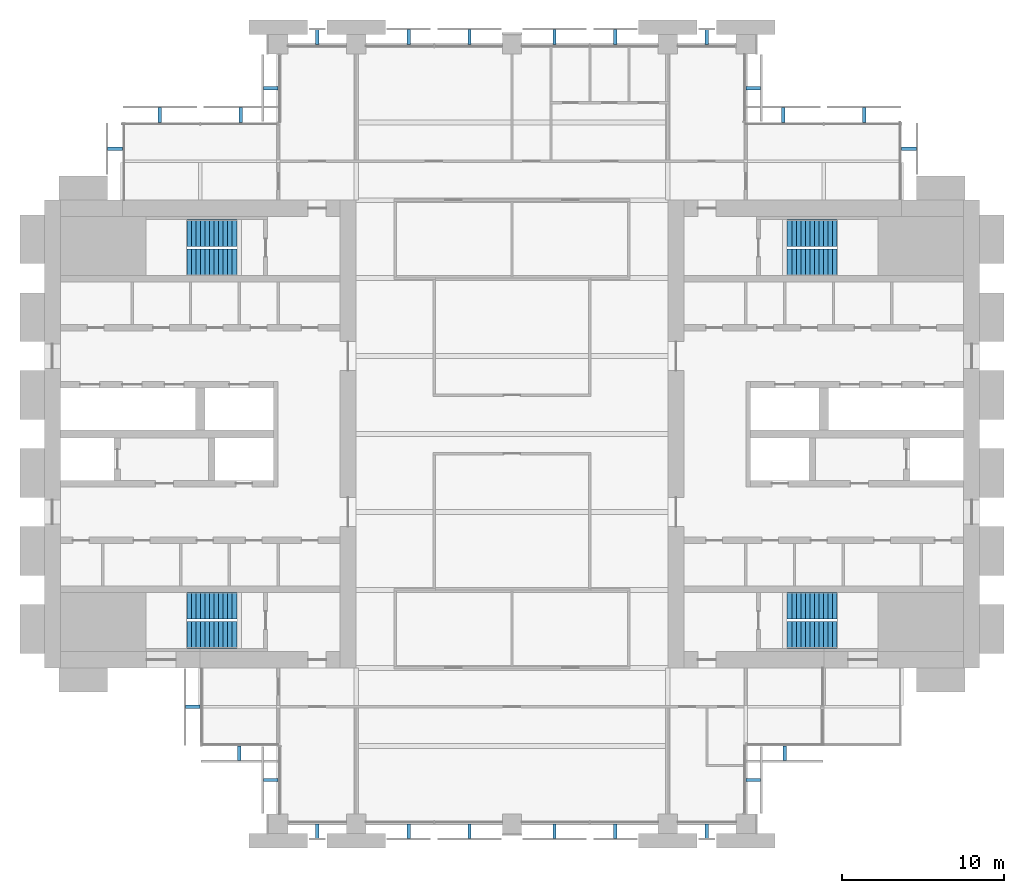
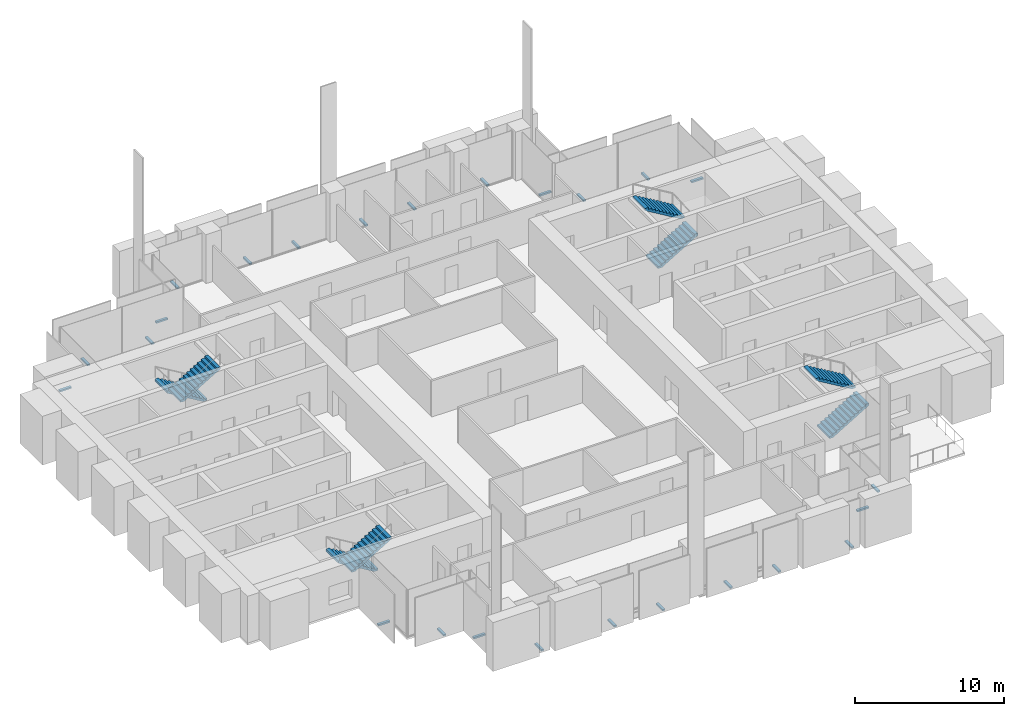
# One storey, part 13 of 14: 25 discrete accessories, 8 stair flights, 4 elements without a shape of their own.
"""IFC4 building model written with IfcOpenShell, lengths in metres."""

from ifc_helpers import new_model, si_unit, direction, frame, origin, origin_2d, place, context, subcontext, project, spatial, polyline, rectangle, outline, extrude, material, type_object, element, aggregate, save


model = new_model("IFC4")

# Units and contexts
model_context = context("Model", 3, precision=1e-05, world=origin(), true_north=direction((0.0, 1.0)))
body_context = subcontext(model_context, "Body", "Model", "MODEL_VIEW")
ifc_project = project(units=[si_unit("LENGTHUNIT", "METRE"), si_unit("AREAUNIT", "SQUARE_METRE"), si_unit("VOLUMEUNIT", "CUBIC_METRE"), si_unit("PLANEANGLEUNIT", "RADIAN"), si_unit("MASSUNIT", "GRAM", prefix="KILO")], contexts=[model_context])

# Site, building, storey
site_placement = place(None, origin())
site = spatial("IfcSite", under=ifc_project, at=site_placement, CompositionType="ELEMENT")
building_placement = place(site_placement, origin())
building = spatial("IfcBuilding", under=site, at=building_placement, Name="Baori Bourse Tower", CompositionType="ELEMENT")
storey_placement = place(building_placement, frame((0.0, 0.0, 120.10009765625)))
storey = spatial("IfcBuildingStorey", under=building, at=storey_placement, Name="L25", CompositionType="ELEMENT", Elevation=120.10009765625)

# Stair, stair flights
ifc_material_1 = material(Name="Concrete f'c 50 MPa", Category="concrete")
stair_type = type_object("IfcStairType", Name="Core stair", PredefinedType="HALF_TURN_STAIR", material=ifc_material_1)
stair_1_placement = place(storey_placement, origin())
stair_1 = element("IfcStair", 1, at=stair_1_placement, inside=storey, type_object=stair_type, Name="L25 Stair WA", PredefinedType="HALF_TURN_STAIR")
ifc_material_2 = material(Name="Concrete f'c 50 MPa", Category="concrete")
stair_flight_type = type_object("IfcStairFlightType", Name="Core stair flight", PredefinedType="STRAIGHT", material=ifc_material_2)
stair_flight_1_placement = place(storey_placement, frame((11.85009765625, 13.425048828125, 0.0), z_axis=(0.0, 0.0, 1.0), x_axis=(-1.0, 0.0, 0.0)))
stair_flight_1 = element("IfcStairFlight", 2, at=stair_flight_1_placement, type_object=stair_flight_type, Name="ST1 flight 1", NumberOfRisers=12, NumberOfTreads=11, PredefinedType="STRAIGHT", RiserHeight=0.166666667, TreadLength=0.28, context=body_context, shape_type="SweptSolid", body=[
    extrude(outline(polyline([(0.0, 0.0), (0.0, 0.166748046875), (0.280029296875, 0.166748046875), (0.280029296875, 0.333251953125), (0.56005859375, 0.333251953125), (0.56005859375, 0.5), (0.840087890625, 0.5), (0.840087890625, 0.666748046875), (1.1201171875, 0.666748046875), (1.1201171875, 0.833251953125), (1.39990234375, 0.833251953125), (1.39990234375, 1.0), (1.679931640625, 1.0), (1.679931640625, 1.166748046875), (1.9599609375, 1.166748046875), (1.9599609375, 1.333251953125), (2.239990234375, 1.333251953125), (2.239990234375, 1.5), (2.52001953125, 1.5), (2.52001953125, 1.666748046875), (2.800048828125, 1.666748046875), (2.800048828125, 1.833251953125), (3.080078125, 1.833251953125), (3.080078125, 2.0), (3.080078125, 1.658935546875), (0.29296875, 0.0), (0.0, 0.0)])), frame((0.0, 0.824951171875, 0.0), z_axis=(0.0, -1.0, 0.0), x_axis=(1.0, 0.0, 0.0)), (0.0, 0.0, 1.0), 1.64990234375),
])
stair_flight_2_placement = place(storey_placement, frame((8.77001953125, 11.625, 2.0), z_axis=(0.0, 0.0, 1.0), x_axis=(1.0, 0.0, 0.0)))
stair_flight_2 = element("IfcStairFlight", 3, at=stair_flight_2_placement, type_object=stair_flight_type, Name="ST1 flight 2", NumberOfRisers=12, NumberOfTreads=11, PredefinedType="STRAIGHT", RiserHeight=0.166666667, TreadLength=0.28, context=body_context, shape_type="SweptSolid", body=[
    extrude(outline(polyline([(0.0, 0.0), (0.0, 0.166748046875), (0.280029296875, 0.166748046875), (0.280029296875, 0.333251953125), (0.56005859375, 0.333251953125), (0.56005859375, 0.5), (0.840087890625, 0.5), (0.840087890625, 0.666748046875), (1.1201171875, 0.666748046875), (1.1201171875, 0.833251953125), (1.39990234375, 0.833251953125), (1.39990234375, 1.0), (1.679931640625, 1.0), (1.679931640625, 1.166748046875), (1.9599609375, 1.166748046875), (1.9599609375, 1.333251953125), (2.239990234375, 1.333251953125), (2.239990234375, 1.5), (2.52001953125, 1.5), (2.52001953125, 1.666748046875), (2.800048828125, 1.666748046875), (2.800048828125, 1.833251953125), (3.080078125, 1.833251953125), (3.080078125, 2.0), (3.080078125, 1.658935546875), (0.29296875, 0.0), (0.0, 0.0)])), frame((0.0, 0.824951171875, 0.0), z_axis=(0.0, -1.0, 0.0), x_axis=(1.0, 0.0, 0.0)), (0.0, 0.0, 1.0), 1.64990234375),
])
aggregate(stair_1, [stair_flight_1, stair_flight_2])

stair_2_placement = place(storey_placement, origin())
stair_2 = element("IfcStair", 4, at=stair_2_placement, inside=storey, type_object=stair_type, Name="L25 Stair WB", PredefinedType="HALF_TURN_STAIR")
stair_flight_3_placement = place(storey_placement, frame((11.85009765625, 36.375, 0.0), z_axis=(0.0, 0.0, 1.0), x_axis=(-1.0, 0.0, 0.0)))
stair_flight_3 = element("IfcStairFlight", 5, at=stair_flight_3_placement, type_object=stair_flight_type, Name="ST2 flight 1", NumberOfRisers=12, NumberOfTreads=11, PredefinedType="STRAIGHT", RiserHeight=0.166666667, TreadLength=0.28, context=body_context, shape_type="SweptSolid", body=[
    extrude(outline(polyline([(0.0, 0.0), (0.0, 0.166748046875), (0.280029296875, 0.166748046875), (0.280029296875, 0.333251953125), (0.56005859375, 0.333251953125), (0.56005859375, 0.5), (0.840087890625, 0.5), (0.840087890625, 0.666748046875), (1.1201171875, 0.666748046875), (1.1201171875, 0.833251953125), (1.39990234375, 0.833251953125), (1.39990234375, 1.0), (1.679931640625, 1.0), (1.679931640625, 1.166748046875), (1.9599609375, 1.166748046875), (1.9599609375, 1.333251953125), (2.239990234375, 1.333251953125), (2.239990234375, 1.5), (2.52001953125, 1.5), (2.52001953125, 1.666748046875), (2.800048828125, 1.666748046875), (2.800048828125, 1.833251953125), (3.080078125, 1.833251953125), (3.080078125, 2.0), (3.080078125, 1.658935546875), (0.29296875, 0.0), (0.0, 0.0)])), frame((0.0, 0.824951171875, 0.0), z_axis=(0.0, -1.0, 0.0), x_axis=(1.0, 0.0, 0.0)), (0.0, 0.0, 1.0), 1.64990234375),
])
stair_flight_4_placement = place(storey_placement, frame((8.77001953125, 34.574951171875, 2.0), z_axis=(0.0, 0.0, 1.0), x_axis=(1.0, 0.0, 0.0)))
stair_flight_4 = element("IfcStairFlight", 6, at=stair_flight_4_placement, type_object=stair_flight_type, Name="ST2 flight 2", NumberOfRisers=12, NumberOfTreads=11, PredefinedType="STRAIGHT", RiserHeight=0.166666667, TreadLength=0.28, context=body_context, shape_type="SweptSolid", body=[
    extrude(outline(polyline([(0.0, 0.0), (0.0, 0.166748046875), (0.280029296875, 0.166748046875), (0.280029296875, 0.333251953125), (0.56005859375, 0.333251953125), (0.56005859375, 0.5), (0.840087890625, 0.5), (0.840087890625, 0.666748046875), (1.1201171875, 0.666748046875), (1.1201171875, 0.833251953125), (1.39990234375, 0.833251953125), (1.39990234375, 1.0), (1.679931640625, 1.0), (1.679931640625, 1.166748046875), (1.9599609375, 1.166748046875), (1.9599609375, 1.333251953125), (2.239990234375, 1.333251953125), (2.239990234375, 1.5), (2.52001953125, 1.5), (2.52001953125, 1.666748046875), (2.800048828125, 1.666748046875), (2.800048828125, 1.833251953125), (3.080078125, 1.833251953125), (3.080078125, 2.0), (3.080078125, 1.658935546875), (0.29296875, 0.0), (0.0, 0.0)])), frame((0.0, 0.824951171875, 0.0), z_axis=(0.0, -1.0, 0.0), x_axis=(1.0, 0.0, 0.0)), (0.0, 0.0, 1.0), 1.64990234375),
])
aggregate(stair_2, [stair_flight_3, stair_flight_4])

stair_3_placement = place(storey_placement, origin())
stair_3 = element("IfcStair", 7, at=stair_3_placement, inside=storey, type_object=stair_type, Name="L25 Stair EA", PredefinedType="HALF_TURN_STAIR")
stair_flight_5_placement = place(storey_placement, frame((45.75, 11.625, 0.0), z_axis=(0.0, 0.0, 1.0), x_axis=(1.0, 0.0, 0.0)))
stair_flight_5 = element("IfcStairFlight", 8, at=stair_flight_5_placement, type_object=stair_flight_type, Name="ST3 flight 1", NumberOfRisers=12, NumberOfTreads=11, PredefinedType="STRAIGHT", RiserHeight=0.166666667, TreadLength=0.28, context=body_context, shape_type="SweptSolid", body=[
    extrude(outline(polyline([(0.0, 0.0), (0.0, 0.166748046875), (0.280029296875, 0.166748046875), (0.280029296875, 0.333251953125), (0.56005859375, 0.333251953125), (0.56005859375, 0.5), (0.840087890625, 0.5), (0.840087890625, 0.666748046875), (1.1201171875, 0.666748046875), (1.1201171875, 0.833251953125), (1.39990234375, 0.833251953125), (1.39990234375, 1.0), (1.679931640625, 1.0), (1.679931640625, 1.166748046875), (1.9599609375, 1.166748046875), (1.9599609375, 1.333251953125), (2.239990234375, 1.333251953125), (2.239990234375, 1.5), (2.52001953125, 1.5), (2.52001953125, 1.666748046875), (2.800048828125, 1.666748046875), (2.800048828125, 1.833251953125), (3.080078125, 1.833251953125), (3.080078125, 2.0), (3.080078125, 1.658935546875), (0.29296875, 0.0), (0.0, 0.0)])), frame((0.0, 0.824951171875, 0.0), z_axis=(0.0, -1.0, 0.0), x_axis=(1.0, 0.0, 0.0)), (0.0, 0.0, 1.0), 1.64990234375),
])
stair_flight_6_placement = place(storey_placement, frame((48.830078125, 13.425048828125, 2.0), z_axis=(0.0, 0.0, 1.0), x_axis=(-1.0, 0.0, 0.0)))
stair_flight_6 = element("IfcStairFlight", 9, at=stair_flight_6_placement, type_object=stair_flight_type, Name="ST3 flight 2", NumberOfRisers=12, NumberOfTreads=11, PredefinedType="STRAIGHT", RiserHeight=0.166666667, TreadLength=0.28, context=body_context, shape_type="SweptSolid", body=[
    extrude(outline(polyline([(0.0, 0.0), (0.0, 0.166748046875), (0.280029296875, 0.166748046875), (0.280029296875, 0.333251953125), (0.56005859375, 0.333251953125), (0.56005859375, 0.5), (0.840087890625, 0.5), (0.840087890625, 0.666748046875), (1.1201171875, 0.666748046875), (1.1201171875, 0.833251953125), (1.39990234375, 0.833251953125), (1.39990234375, 1.0), (1.679931640625, 1.0), (1.679931640625, 1.166748046875), (1.9599609375, 1.166748046875), (1.9599609375, 1.333251953125), (2.239990234375, 1.333251953125), (2.239990234375, 1.5), (2.52001953125, 1.5), (2.52001953125, 1.666748046875), (2.800048828125, 1.666748046875), (2.800048828125, 1.833251953125), (3.080078125, 1.833251953125), (3.080078125, 2.0), (3.080078125, 1.658935546875), (0.29296875, 0.0), (0.0, 0.0)])), frame((0.0, 0.824951171875, 0.0), z_axis=(0.0, -1.0, 0.0), x_axis=(1.0, 0.0, 0.0)), (0.0, 0.0, 1.0), 1.64990234375),
])
aggregate(stair_3, [stair_flight_5, stair_flight_6])

stair_4_placement = place(storey_placement, origin())
stair_4 = element("IfcStair", 10, at=stair_4_placement, inside=storey, type_object=stair_type, Name="L25 Stair EB", PredefinedType="HALF_TURN_STAIR")
stair_flight_7_placement = place(storey_placement, frame((45.75, 34.574951171875, 0.0), z_axis=(0.0, 0.0, 1.0), x_axis=(1.0, 0.0, 0.0)))
stair_flight_7 = element("IfcStairFlight", 11, at=stair_flight_7_placement, type_object=stair_flight_type, Name="ST4 flight 1", NumberOfRisers=12, NumberOfTreads=11, PredefinedType="STRAIGHT", RiserHeight=0.166666667, TreadLength=0.28, context=body_context, shape_type="SweptSolid", body=[
    extrude(outline(polyline([(0.0, 0.0), (0.0, 0.166748046875), (0.280029296875, 0.166748046875), (0.280029296875, 0.333251953125), (0.56005859375, 0.333251953125), (0.56005859375, 0.5), (0.840087890625, 0.5), (0.840087890625, 0.666748046875), (1.1201171875, 0.666748046875), (1.1201171875, 0.833251953125), (1.39990234375, 0.833251953125), (1.39990234375, 1.0), (1.679931640625, 1.0), (1.679931640625, 1.166748046875), (1.9599609375, 1.166748046875), (1.9599609375, 1.333251953125), (2.239990234375, 1.333251953125), (2.239990234375, 1.5), (2.52001953125, 1.5), (2.52001953125, 1.666748046875), (2.800048828125, 1.666748046875), (2.800048828125, 1.833251953125), (3.080078125, 1.833251953125), (3.080078125, 2.0), (3.080078125, 1.658935546875), (0.29296875, 0.0), (0.0, 0.0)])), frame((0.0, 0.824951171875, 0.0), z_axis=(0.0, -1.0, 0.0), x_axis=(1.0, 0.0, 0.0)), (0.0, 0.0, 1.0), 1.64990234375),
])
stair_flight_8_placement = place(storey_placement, frame((48.830078125, 36.375, 2.0), z_axis=(0.0, 0.0, 1.0), x_axis=(-1.0, 0.0, 0.0)))
stair_flight_8 = element("IfcStairFlight", 12, at=stair_flight_8_placement, type_object=stair_flight_type, Name="ST4 flight 2", NumberOfRisers=12, NumberOfTreads=11, PredefinedType="STRAIGHT", RiserHeight=0.166666667, TreadLength=0.28, context=body_context, shape_type="SweptSolid", body=[
    extrude(outline(polyline([(0.0, 0.0), (0.0, 0.166748046875), (0.280029296875, 0.166748046875), (0.280029296875, 0.333251953125), (0.56005859375, 0.333251953125), (0.56005859375, 0.5), (0.840087890625, 0.5), (0.840087890625, 0.666748046875), (1.1201171875, 0.666748046875), (1.1201171875, 0.833251953125), (1.39990234375, 0.833251953125), (1.39990234375, 1.0), (1.679931640625, 1.0), (1.679931640625, 1.166748046875), (1.9599609375, 1.166748046875), (1.9599609375, 1.333251953125), (2.239990234375, 1.333251953125), (2.239990234375, 1.5), (2.52001953125, 1.5), (2.52001953125, 1.666748046875), (2.800048828125, 1.666748046875), (2.800048828125, 1.833251953125), (3.080078125, 1.833251953125), (3.080078125, 2.0), (3.080078125, 1.658935546875), (0.29296875, 0.0), (0.0, 0.0)])), frame((0.0, 0.824951171875, 0.0), z_axis=(0.0, -1.0, 0.0), x_axis=(1.0, 0.0, 0.0)), (0.0, 0.0, 1.0), 1.64990234375),
])
aggregate(stair_4, [stair_flight_7, stair_flight_8])

# Discrete accessories
ifc_material_3 = material(Name="Pale anodised aluminium", Category="aluminium")
discrete_accessory_type = type_object("IfcDiscreteAccessoryType", Name="OS2 Outer skin bracket", PredefinedType="BRACKET", material=ifc_material_3)
for number, where, z_axis, x_axis, name in (
    (13, (53.25, 41.574951171875, -0.14404296875), (0.0, 0.0, 1.0), (0.0, 1.0, 0.0), "Outer skin bracket L25 1"),
    (14, (50.487548828125, 43.64990234375, -0.14404296875), (0.0, 0.0, 1.0), (-1.0, 0.0, 0.0), "Outer skin bracket L25 2"),
    (15, (45.512451171875, 43.64990234375, -0.14404296875), (0.0, 0.0, 1.0), (-1.0, 0.0, 0.0), "Outer skin bracket L25 3"),
    (16, (43.64990234375, 45.300048828125, -0.14404296875), (0.0, 0.0, 1.0), (0.0, 1.0, 0.0), "Outer skin bracket L25 4"),
    (17, (40.800048828125, 48.449951171875, -0.14404296875), (0.0, 0.0, 1.0), (-1.0, 0.0, 0.0), "Outer skin bracket L25 5"),
    (18, (35.16259765625, 48.449951171875, -0.14404296875), (0.0, 0.0, 1.0), (-1.0, 0.0, 0.0), "Outer skin bracket L25 6"),
    (19, (31.41259765625, 48.449951171875, -0.14404296875), (0.0, 0.0, 1.0), (-1.0, 0.0, 0.0), "Outer skin bracket L25 7"),
    (20, (26.1875, 48.449951171875, -0.14404296875), (0.0, 0.0, 1.0), (-1.0, 0.0, 0.0), "Outer skin bracket L25 8"),
    (21, (22.4375, 48.449951171875, -0.14404296875), (0.0, 0.0, 1.0), (-1.0, 0.0, 0.0), "Outer skin bracket L25 9"),
    (22, (16.800048828125, 48.449951171875, -0.14404296875), (0.0, 0.0, 1.0), (-1.0, 0.0, 0.0), "Outer skin bracket L25 10"),
    (23, (13.949951171875, 45.300048828125, -0.14404296875), (0.0, 0.0, 1.0), (0.0, -1.0, 0.0), "Outer skin bracket L25 11"),
    (24, (12.08740234375, 43.64990234375, -0.14404296875), (0.0, 0.0, 1.0), (-1.0, 0.0, 0.0), "Outer skin bracket L25 12"),
    (25, (7.112548828125, 43.64990234375, -0.14404296875), (0.0, 0.0, 1.0), (-1.0, 0.0, 0.0), "Outer skin bracket L25 13"),
    (26, (4.35009765625, 41.574951171875, -0.14404296875), (0.0, 0.0, 1.0), (0.0, -1.0, 0.0), "Outer skin bracket L25 14"),
    (27, (9.14990234375, 7.199951171875, -0.14404296875), (0.0, 0.0, 1.0), (0.0, -1.0, 0.0), "Outer skin bracket L25 15"),
    (28, (12.0, 4.35009765625, -0.14404296875), (0.0, 0.0, 1.0), (1.0, 0.0, 0.0), "Outer skin bracket L25 16"),
    (29, (13.949951171875, 2.699951171875, -0.14404296875), (0.0, 0.0, 1.0), (0.0, -1.0, 0.0), "Outer skin bracket L25 17"),
    (30, (16.800048828125, -0.449951171875, -0.14404296875), (0.0, 0.0, 1.0), (1.0, 0.0, 0.0), "Outer skin bracket L25 18"),
    (31, (22.4375, -0.449951171875, -0.14404296875), (0.0, 0.0, 1.0), (1.0, 0.0, 0.0), "Outer skin bracket L25 19"),
    (32, (26.1875, -0.449951171875, -0.14404296875), (0.0, 0.0, 1.0), (1.0, 0.0, 0.0), "Outer skin bracket L25 20"),
    (33, (31.41259765625, -0.449951171875, -0.14404296875), (0.0, 0.0, 1.0), (1.0, 0.0, 0.0), "Outer skin bracket L25 21"),
    (34, (35.16259765625, -0.449951171875, -0.14404296875), (0.0, 0.0, 1.0), (1.0, 0.0, 0.0), "Outer skin bracket L25 22"),
    (35, (40.800048828125, -0.449951171875, -0.14404296875), (0.0, 0.0, 1.0), (1.0, 0.0, 0.0), "Outer skin bracket L25 23"),
    (36, (43.64990234375, 2.699951171875, -0.14404296875), (0.0, 0.0, 1.0), (0.0, 1.0, 0.0), "Outer skin bracket L25 24"),
    (37, (45.60009765625, 4.35009765625, -0.14404296875), (0.0, 0.0, 1.0), (1.0, 0.0, 0.0), "Outer skin bracket L25 25"),
):
    element("IfcDiscreteAccessory", number, at=place(storey_placement, frame(where, z_axis=z_axis, x_axis=x_axis)), inside=storey, type_object=discrete_accessory_type, Name=name, PredefinedType="BRACKET", context=body_context, shape_type="SweptSolid", body=[
        extrude(rectangle(XDim=0.199951171875, YDim=0.89990234375, at=origin_2d()), origin(), (0.0, 0.0, 1.0), 0.1279296875),
    ])

save(model, "model.ifc")
